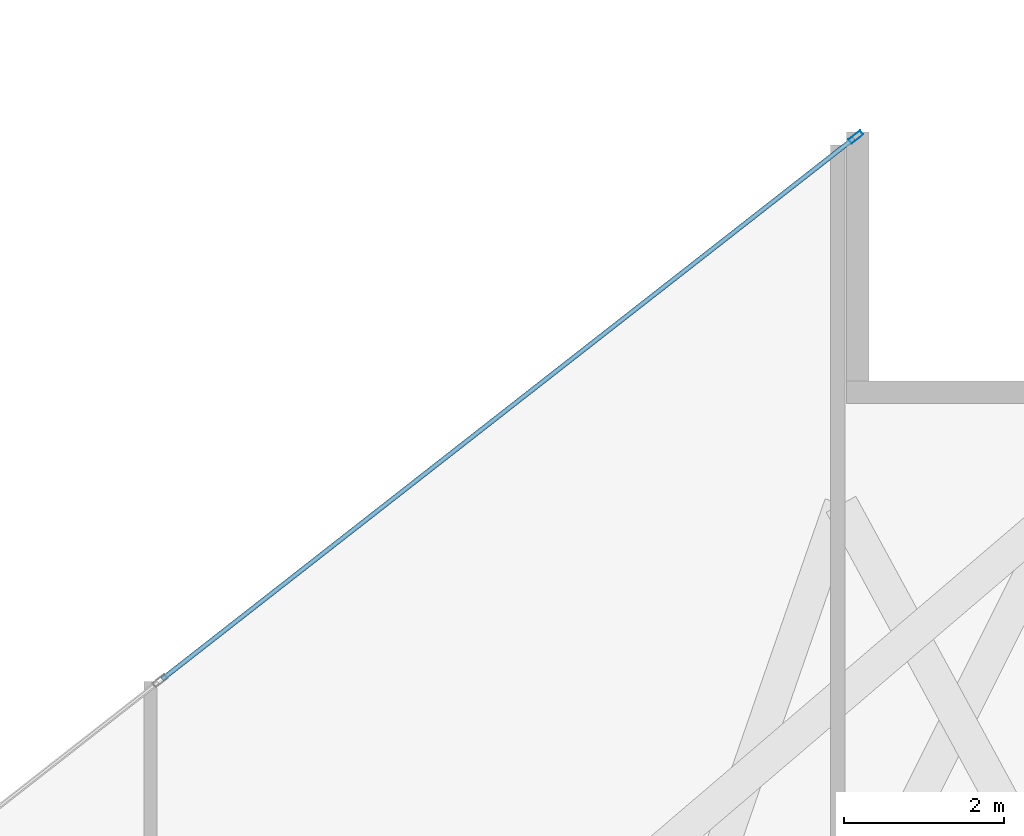
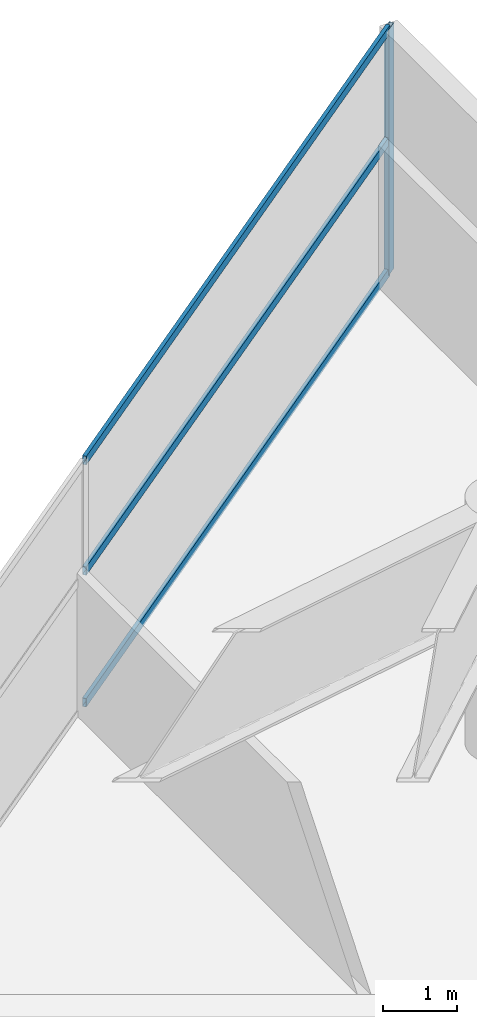
# One storey, part 21 of 29: 4 members, 1 element without a shape of its own.
"""IFC4 building model written with IfcOpenShell, lengths in metres."""

from ifc_helpers import new_model, si_unit, direction, frame, origin, origin_2d, place, context, subcontext, project, spatial, hollow_rectangle, extrude, material, layer, layer_set, material_profile, profile_set, type_object, element, aggregate, save


model = new_model("IFC4")

# Units and contexts
model_context = context("Model", 3, precision=1e-05, world=origin(), true_north=direction((0.0, 1.0)))
body_context = subcontext(model_context, "Body", "Model", "MODEL_VIEW")
ifc_project = project(units=[si_unit("LENGTHUNIT", "METRE"), si_unit("AREAUNIT", "SQUARE_METRE"), si_unit("VOLUMEUNIT", "CUBIC_METRE"), si_unit("PLANEANGLEUNIT", "RADIAN"), si_unit("MASSUNIT", "GRAM", prefix="KILO")], contexts=[model_context])

# Site, building, storey
site_placement = place(None, origin())
site = spatial("IfcSite", under=ifc_project, at=site_placement, CompositionType="ELEMENT")
building_placement = place(site_placement, origin())
building = spatial("IfcBuilding", under=site, at=building_placement, Name="Calvorn Quay Hotel", CompositionType="ELEMENT")
storey_placement = place(building_placement, frame((0.0, 0.0, 214.800048828125)))
storey = spatial("IfcBuildingStorey", under=building, at=storey_placement, Name="L53", CompositionType="ELEMENT", Elevation=214.800048828125)

# Curtain wall, members
ifc_material_1 = material(Name="Champagne Bronze Anodised Aluminium and Low-E Glass", Category="aluminium")
ifc_layer = layer(ifc_material_1, 0.219970703125)
ifc_layer_set = layer_set([ifc_layer], Name="CW-SYS-Z3")
curtain_wall_type = type_object("IfcCurtainWallType", Name="CW-SYS-Z3", PredefinedType="NOTDEFINED", material=ifc_layer_set)
curtain_wall_placement = place(storey_placement, origin())
curtain_wall = element("IfcCurtainWall", 1, at=curtain_wall_placement, inside=storey, type_object=curtain_wall_type, Name="Inner Court Curtain Wall L53-NE1", PredefinedType="NOTDEFINED")
ifc_material_2 = material(Name="Champagne Bronze Anodised Aluminium 6063-T6", Category="aluminium")
ifc_material_profile_1 = material_profile(ifc_material_2, hollow_rectangle(XDim=0.068115234375, YDim=0.18505859375, WallThickness=0.00390625, at=origin_2d()), Name="ALU-M185x68x4")
ifc_profile_set_1 = profile_set([ifc_material_profile_1], Name="Champagne Bronze Anodised Aluminium 6063-T6")
member_type_1 = type_object("IfcMemberType", Name="CW-SYS-Z3-MUL", PredefinedType="MULLION", material=ifc_profile_set_1)
member_1_placement = place(storey_placement, frame((38.976318359375, 37.9814453125, 0.0), z_axis=(0.0, 0.0, 1.0), x_axis=(0.615819768044, -0.787887056174, 0.0)))
member_1 = element("IfcMember", 2, at=member_1_placement, type_object=member_type_1, Name="CW-L53-NE1 mullion 1", PredefinedType="MULLION", context=body_context, shape_type="SweptSolid", body=[
    extrude(hollow_rectangle(XDim=0.068115234375, YDim=0.18505859375, WallThickness=0.00390625, at=origin_2d()), origin(), (0.0, 0.0, 1.0), 4.050048828125),
])
ifc_material_3 = material(Name="Champagne Bronze Anodised Aluminium 6063-T6", Category="aluminium")
ifc_material_profile_2 = material_profile(ifc_material_3, hollow_rectangle(XDim=0.05810546875, YDim=0.139892578125, WallThickness=0.003173828125, at=origin_2d()), Name="ALU-T140x58x3.2")
ifc_profile_set_2 = profile_set([ifc_material_profile_2], Name="Champagne Bronze Anodised Aluminium 6063-T6")
member_type_2 = type_object("IfcMemberType", Name="CW-SYS-Z3-TRN", PredefinedType="USERDEFINED", material=ifc_profile_set_2)
member_2_placement = place(storey_placement, frame((38.95263671875, 37.963134765625, 0.030029296875), z_axis=(-0.787878353679, -0.615830901956, 0.0), x_axis=(0.615830901956, -0.787878353679, 0.0)))
member_2 = element("IfcMember", 3, at=member_2_placement, type_object=member_type_2, Name="CW-L53-NE1 transom 1.1", ObjectType="TRANSOM", PredefinedType="USERDEFINED", context=body_context, shape_type="SweptSolid", body=[
    extrude(hollow_rectangle(XDim=0.05810546875, YDim=0.139892578125, WallThickness=0.003173828125, at=origin_2d()), origin(), (0.0, 0.0, 1.0), 10.9521484375),
])
member_3_placement = place(storey_placement, frame((38.95263671875, 37.963134765625, 2.199951171875), z_axis=(-0.787878353679, -0.615830901956, 0.0), x_axis=(0.615830901956, -0.787878353679, 0.0)))
member_3 = element("IfcMember", 4, at=member_3_placement, type_object=member_type_2, Name="CW-L53-NE1 transom 1.2", ObjectType="TRANSOM", PredefinedType="USERDEFINED", context=body_context, shape_type="SweptSolid", body=[
    extrude(hollow_rectangle(XDim=0.05810546875, YDim=0.139892578125, WallThickness=0.003173828125, at=origin_2d()), origin(), (0.0, 0.0, 1.0), 10.9521484375),
])
member_4_placement = place(storey_placement, frame((38.95263671875, 37.963134765625, 4.02001953125), z_axis=(-0.787878353679, -0.615830901956, 0.0), x_axis=(0.615830901956, -0.787878353679, 0.0)))
member_4 = element("IfcMember", 5, at=member_4_placement, type_object=member_type_2, Name="CW-L53-NE1 transom 1.3", ObjectType="TRANSOM", PredefinedType="USERDEFINED", context=body_context, shape_type="SweptSolid", body=[
    extrude(hollow_rectangle(XDim=0.05810546875, YDim=0.139892578125, WallThickness=0.003173828125, at=origin_2d()), origin(), (0.0, 0.0, 1.0), 10.9521484375),
])
aggregate(curtain_wall, [member_1, member_2, member_3, member_4])

save(model, "model.ifc")
